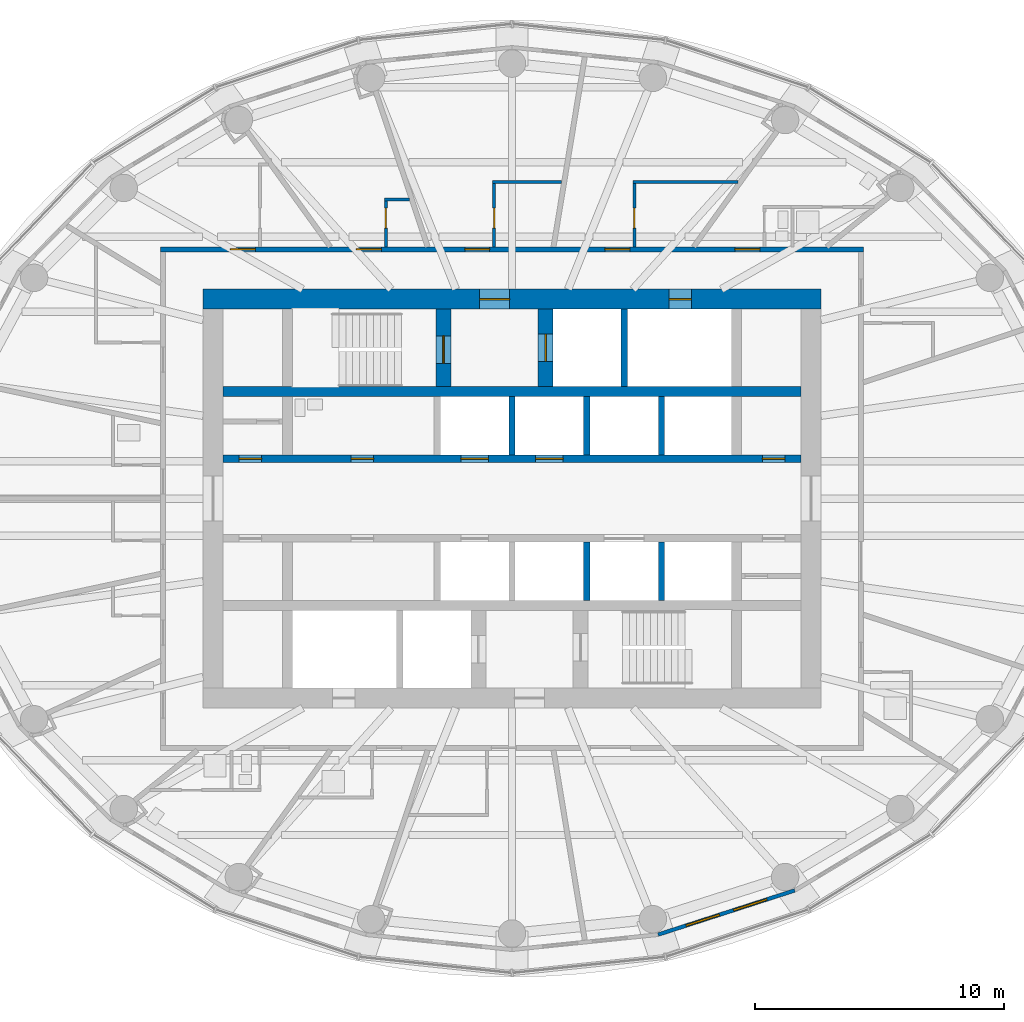
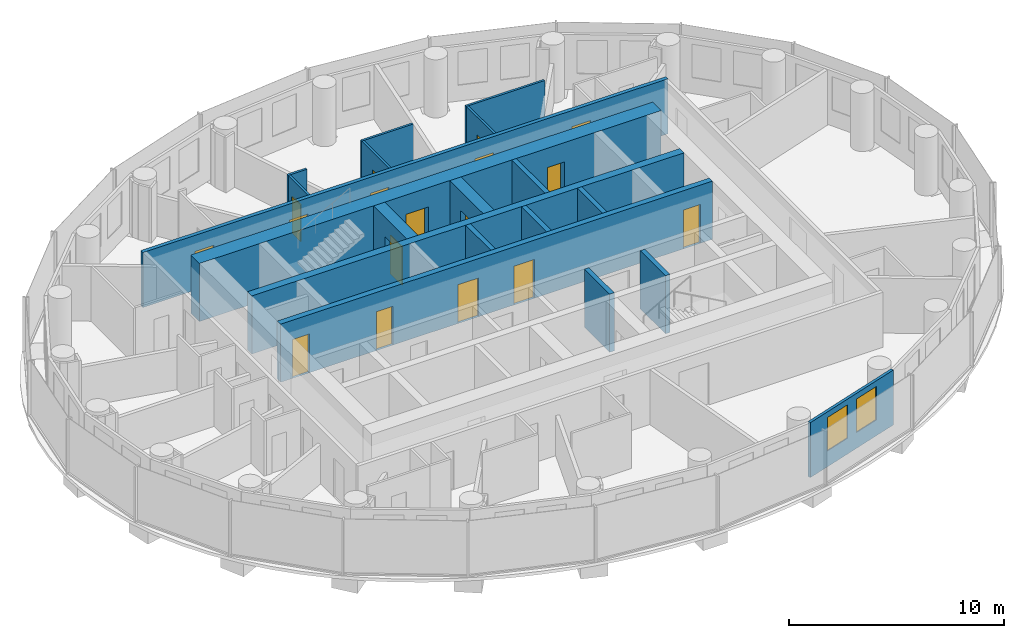
# One storey, part 10 of 16: 19 walls, 17 doors, 2 windows, 19 openings.
"""IFC4 building model written with IfcOpenShell, lengths in metres."""

from ifc_helpers import new_model, si_unit, direction, frame, frame_2d, origin, place, context, subcontext, project, spatial, rectangle, extrude, material, layer, layer_set, type_object, element, fill, save


model = new_model("IFC4")

# Units and contexts
model_context = context("Model", 3, precision=1e-05, world=origin(), true_north=direction((0.0, 1.0)))
body_context = subcontext(model_context, "Body", "Model", "MODEL_VIEW")
ifc_project = project(units=[si_unit("LENGTHUNIT", "METRE"), si_unit("AREAUNIT", "SQUARE_METRE"), si_unit("VOLUMEUNIT", "CUBIC_METRE"), si_unit("PLANEANGLEUNIT", "RADIAN"), si_unit("MASSUNIT", "GRAM", prefix="KILO")], contexts=[model_context])

# Site, building, storey
site_placement = place(None, origin())
site = spatial("IfcSite", under=ifc_project, at=site_placement, CompositionType="ELEMENT")
building_placement = place(site_placement, origin())
building = spatial("IfcBuilding", under=site, at=building_placement, Name="Hankou Lantern Tower", CompositionType="ELEMENT")
storey_placement = place(building_placement, frame((0.0, 0.0, 143.39990234375)))
storey = spatial("IfcBuildingStorey", under=building, at=storey_placement, Name="L37", CompositionType="ELEMENT", Elevation=143.39990234375)

# Wall, openings, doors
ifc_material_1 = material(Name="Concrete C60", Category="concrete")
ifc_layer_1 = layer(ifc_material_1, 0.800048828125)
ifc_layer_set_1 = layer_set([ifc_layer_1], Name="Concrete C60")
wall_type_1 = type_object("IfcWallType", Name="CW2 CORE WALL 800", PredefinedType="SHEAR", material=ifc_layer_set_1)
wall_1_placement = place(storey_placement, frame((-12.39990234375, 8.0, 0.0), z_axis=(0.0, 0.0, 1.0), x_axis=(1.0, 0.0, 0.0)))
wall_1 = element("IfcWall", 1, at=wall_1_placement, inside=storey, type_object=wall_type_1, Name="Core wall north L37", PredefinedType="SHEAR", context=body_context, shape_type="SweptSolid", body=[
    extrude(rectangle(XDim=24.7998046875, YDim=0.800048828125, at=frame_2d((12.39990234375, 0.0))), origin(), (0.0, 0.0, 1.0), 3.300048828125),
])
opening_1_placement = place(wall_1_placement, frame((11.10009765625, 0.0, 0.0)))
opening_1 = element("IfcOpeningElement", 2, at=opening_1_placement, cuts=wall_1, Name="Opening D5", PredefinedType="OPENING", context=body_context, shape_type="SweptSolid", body=[
    extrude(rectangle(XDim=1.199951171875, YDim=2.199951171875, at=frame_2d((0.60009765625, 1.10009765625))), frame((0.0, 0.409912109375, 0.0), z_axis=(0.0, -1.0, 0.0), x_axis=(1.0, 0.0, 0.0)), (0.0, 0.0, 1.0), 0.820068359375),
])
opening_2_placement = place(wall_1_placement, frame((18.699951171875, 0.0, 0.0)))
opening_2 = element("IfcOpeningElement", 3, at=opening_2_placement, cuts=wall_1, Name="Opening D7", PredefinedType="OPENING", context=body_context, shape_type="SweptSolid", body=[
    extrude(rectangle(XDim=0.89990234375, YDim=2.199951171875, at=frame_2d((0.449951171875, 1.10009765625))), frame((0.0, 0.409912109375, 0.0), z_axis=(0.0, -1.0, 0.0), x_axis=(1.0, 0.0, 0.0)), (0.0, 0.0, 1.0), 0.820068359375),
])
ifc_material_2 = material(Name="Steel door leaf", Category="steel")
door_type_1 = type_object("IfcDoorType", Name="D5 STAIR LOBBY DOOR 1200X2200", OperationType="SINGLE_SWING_LEFT", PredefinedType="DOOR", material=ifc_material_2)
door_1_placement = place(opening_1_placement, origin())
door_1 = element("IfcDoor", 4, at=door_1_placement, inside=storey, type_object=door_type_1, Name="Stair A lobby door", OperationType="SINGLE_SWING_LEFT", OverallHeight=2.199951171875, OverallWidth=1.199951171875, PredefinedType="DOOR", context=body_context, shape_type="SweptSolid", body=[
    extrude(rectangle(XDim=1.199951171875, YDim=2.199951171875, at=frame_2d((0.60009765625, 1.10009765625))), frame((0.0, 0.02490234375, 0.0), z_axis=(0.0, -1.0, 0.0), x_axis=(1.0, 0.0, 0.0)), (0.0, 0.0, 1.0), 0.050048828125),
])
fill(opening_1, door_1)
ifc_material_3 = material(Name="Steel door leaf", Category="steel")
door_type_2 = type_object("IfcDoorType", Name="D7 RISER DOOR 900X2200", OperationType="SINGLE_SWING_LEFT", PredefinedType="DOOR", material=ifc_material_3)
door_2_placement = place(opening_2_placement, origin())
door_2 = element("IfcDoor", 5, at=door_2_placement, inside=storey, type_object=door_type_2, Name="Riser N1 door", OperationType="SINGLE_SWING_RIGHT", OverallHeight=2.199951171875, OverallWidth=0.89990234375, PredefinedType="DOOR", context=body_context, shape_type="SweptSolid", body=[
    extrude(rectangle(XDim=0.89990234375, YDim=2.199951171875, at=frame_2d((0.449951171875, 1.10009765625))), frame((0.0, 0.02490234375, 0.0), z_axis=(0.0, -1.0, 0.0), x_axis=(1.0, 0.0, 0.0)), (0.0, 0.0, 1.0), 0.050048828125),
])
fill(opening_2, door_2)

# Wall
ifc_material_4 = material(Name="Concrete C60", Category="concrete")
ifc_layer_2 = layer(ifc_material_4, 0.39990234375)
ifc_layer_set_2 = layer_set([ifc_layer_2], Name="Concrete C60")
wall_type_2 = type_object("IfcWallType", Name="CW4 CORE CROSS WALL 400", PredefinedType="SHEAR", material=ifc_layer_set_2)
wall_2_placement = place(storey_placement, frame((-11.60009765625, 4.300048828125, 0.0), z_axis=(0.0, 0.0, 1.0), x_axis=(1.0, 0.0, 0.0)))
element("IfcWall", 6, at=wall_2_placement, inside=storey, type_object=wall_type_2, Name="Core band wall north L37", PredefinedType="SHEAR", context=body_context, shape_type="SweptSolid", body=[
    extrude(rectangle(XDim=23.2001953125, YDim=0.39990234375, at=frame_2d((11.60009765625, 0.0))), origin(), (0.0, 0.0, 1.0), 3.300048828125),
])

# Wall, openings, doors
ifc_material_5 = material(Name="Concrete C60", Category="concrete")
ifc_layer_3 = layer(ifc_material_5, 0.300048828125)
ifc_layer_set_3 = layer_set([ifc_layer_3], Name="Concrete C60")
wall_type_3 = type_object("IfcWallType", Name="CW5 LIFT LOBBY WALL 300", PredefinedType="SHEAR", material=ifc_layer_set_3)
wall_3_placement = place(storey_placement, frame((-11.60009765625, 1.60009765625, 0.0), z_axis=(0.0, 0.0, 1.0), x_axis=(1.0, 0.0, 0.0)))
wall_3 = element("IfcWall", 7, at=wall_3_placement, inside=storey, type_object=wall_type_3, Name="Lift lobby wall north L37", PredefinedType="SHEAR", context=body_context, shape_type="SweptSolid", body=[
    extrude(rectangle(XDim=23.2001953125, YDim=0.300048828125, at=frame_2d((11.60009765625, 0.0))), origin(), (0.0, 0.0, 1.0), 3.300048828125),
])
opening_3_placement = place(wall_3_placement, frame((9.550048828125, 0.0, 0.0)))
opening_3 = element("IfcOpeningElement", 8, at=opening_3_placement, cuts=wall_3, Name="Opening LD1", PredefinedType="OPENING", context=body_context, shape_type="SweptSolid", body=[
    extrude(rectangle(XDim=1.10009765625, YDim=2.199951171875, at=frame_2d((0.550048828125, 1.10009765625))), frame((0.0, 0.159912109375, 0.0), z_axis=(0.0, -1.0, 0.0), x_axis=(1.0, 0.0, 0.0)), (0.0, 0.0, 1.0), 0.320068359375),
])
opening_4_placement = place(wall_3_placement, frame((12.550048828125, 0.0, 0.0)))
opening_4 = element("IfcOpeningElement", 9, at=opening_4_placement, cuts=wall_3, Name="Opening LD1", PredefinedType="OPENING", context=body_context, shape_type="SweptSolid", body=[
    extrude(rectangle(XDim=1.10009765625, YDim=2.199951171875, at=frame_2d((0.550048828125, 1.10009765625))), frame((0.0, 0.159912109375, 0.0), z_axis=(0.0, -1.0, 0.0), x_axis=(1.0, 0.0, 0.0)), (0.0, 0.0, 1.0), 0.320068359375),
])
opening_5_placement = place(wall_3_placement, frame((0.64990234375, 0.0, 0.0)))
opening_5 = element("IfcOpeningElement", 10, at=opening_5_placement, cuts=wall_3, Name="Opening D30", PredefinedType="OPENING", context=body_context, shape_type="SweptSolid", body=[
    extrude(rectangle(XDim=0.89990234375, YDim=2.199951171875, at=frame_2d((0.449951171875, 1.10009765625))), frame((0.0, 0.159912109375, 0.0), z_axis=(0.0, -1.0, 0.0), x_axis=(1.0, 0.0, 0.0)), (0.0, 0.0, 1.0), 0.320068359375),
])
opening_6_placement = place(wall_3_placement, frame((5.14990234375, 0.0, 0.0)))
opening_6 = element("IfcOpeningElement", 11, at=opening_6_placement, cuts=wall_3, Name="Opening D30", PredefinedType="OPENING", context=body_context, shape_type="SweptSolid", body=[
    extrude(rectangle(XDim=0.89990234375, YDim=2.199951171875, at=frame_2d((0.449951171875, 1.10009765625))), frame((0.0, 0.159912109375, 0.0), z_axis=(0.0, -1.0, 0.0), x_axis=(1.0, 0.0, 0.0)), (0.0, 0.0, 1.0), 0.320068359375),
])
opening_7_placement = place(wall_3_placement, frame((21.64990234375, 0.0, 0.0)))
opening_7 = element("IfcOpeningElement", 12, at=opening_7_placement, cuts=wall_3, Name="Opening D30", PredefinedType="OPENING", context=body_context, shape_type="SweptSolid", body=[
    extrude(rectangle(XDim=0.89990234375, YDim=2.199951171875, at=frame_2d((0.449951171875, 1.10009765625))), frame((0.0, 0.159912109375, 0.0), z_axis=(0.0, -1.0, 0.0), x_axis=(1.0, 0.0, 0.0)), (0.0, 0.0, 1.0), 0.320068359375),
])
ifc_material_6 = material(Name="Steel door leaf", Category="steel")
door_type_3 = type_object("IfcDoorType", Name="D30 CORE ROOM DOOR 900X2200", OperationType="SINGLE_SWING_LEFT", PredefinedType="DOOR", material=ifc_material_6)
door_3_placement = place(opening_5_placement, origin())
door_3 = element("IfcDoor", 13, at=door_3_placement, inside=storey, type_object=door_type_3, Name="Room service pantry door", OperationType="SINGLE_SWING_LEFT", OverallHeight=2.199951171875, OverallWidth=0.89990234375, PredefinedType="DOOR", context=body_context, shape_type="SweptSolid", body=[
    extrude(rectangle(XDim=0.89990234375, YDim=2.199951171875, at=frame_2d((0.449951171875, 1.10009765625))), frame((0.0, 0.02490234375, 0.0), z_axis=(0.0, -1.0, 0.0), x_axis=(1.0, 0.0, 0.0)), (0.0, 0.0, 1.0), 0.050048828125),
])
fill(opening_5, door_3)
door_4_placement = place(opening_6_placement, origin())
door_4 = element("IfcDoor", 14, at=door_4_placement, inside=storey, type_object=door_type_3, Name="Accessible WC door", OperationType="SINGLE_SWING_LEFT", OverallHeight=2.199951171875, OverallWidth=0.89990234375, PredefinedType="DOOR", context=body_context, shape_type="SweptSolid", body=[
    extrude(rectangle(XDim=0.89990234375, YDim=2.199951171875, at=frame_2d((0.449951171875, 1.10009765625))), frame((0.0, 0.02490234375, 0.0), z_axis=(0.0, -1.0, 0.0), x_axis=(1.0, 0.0, 0.0)), (0.0, 0.0, 1.0), 0.050048828125),
])
fill(opening_6, door_4)
door_5_placement = place(opening_7_placement, origin())
door_5 = element("IfcDoor", 15, at=door_5_placement, inside=storey, type_object=door_type_3, Name="Staff locker room door", OperationType="SINGLE_SWING_RIGHT", OverallHeight=2.199951171875, OverallWidth=0.89990234375, PredefinedType="DOOR", context=body_context, shape_type="SweptSolid", body=[
    extrude(rectangle(XDim=0.89990234375, YDim=2.199951171875, at=frame_2d((0.449951171875, 1.10009765625))), frame((0.0, 0.02490234375, 0.0), z_axis=(0.0, -1.0, 0.0), x_axis=(1.0, 0.0, 0.0)), (0.0, 0.0, 1.0), 0.050048828125),
])
fill(opening_7, door_5)
ifc_material_7 = material(Name="Steel door leaf", Category="steel")
door_type_4 = type_object("IfcDoorType", Name="LD1 LIFT LANDING DOOR 1100X2200", OperationType="DOUBLE_DOOR_SLIDING", PredefinedType="DOOR", material=ifc_material_7)
door_6_placement = place(opening_3_placement, origin())
door_6 = element("IfcDoor", 16, at=door_6_placement, inside=storey, type_object=door_type_4, Name="Lift H1 landing door", OperationType="DOUBLE_DOOR_SLIDING", OverallHeight=2.199951171875, OverallWidth=1.10009765625, PredefinedType="DOOR", context=body_context, shape_type="SweptSolid", body=[
    extrude(rectangle(XDim=1.10009765625, YDim=2.199951171875, at=frame_2d((0.550048828125, 1.10009765625))), frame((0.0, 0.02490234375, 0.0), z_axis=(0.0, -1.0, 0.0), x_axis=(1.0, 0.0, 0.0)), (0.0, 0.0, 1.0), 0.050048828125),
])
fill(opening_3, door_6)
door_7_placement = place(opening_4_placement, origin())
door_7 = element("IfcDoor", 17, at=door_7_placement, inside=storey, type_object=door_type_4, Name="Lift H2 landing door", OperationType="DOUBLE_DOOR_SLIDING", OverallHeight=2.199951171875, OverallWidth=1.10009765625, PredefinedType="DOOR", context=body_context, shape_type="SweptSolid", body=[
    extrude(rectangle(XDim=1.10009765625, YDim=2.199951171875, at=frame_2d((0.550048828125, 1.10009765625))), frame((0.0, 0.02490234375, 0.0), z_axis=(0.0, -1.0, 0.0), x_axis=(1.0, 0.0, 0.0)), (0.0, 0.0, 1.0), 0.050048828125),
])
fill(opening_4, door_7)

# Wall, opening, door
ifc_material_8 = material(Name="Concrete C60", Category="concrete")
ifc_layer_4 = layer(ifc_material_8, 0.60009765625)
ifc_layer_set_4 = layer_set([ifc_layer_4], Name="Concrete C60")
wall_type_4 = type_object("IfcWallType", Name="CW6 STAIR AND SHAFT WALL 600", PredefinedType="SHEAR", material=ifc_layer_set_4)
wall_4_placement = place(storey_placement, frame((-2.75, 4.5, 0.0), z_axis=(0.0, 0.0, 1.0), x_axis=(0.0, 1.0, 0.0)))
wall_4 = element("IfcWall", 18, at=wall_4_placement, inside=storey, type_object=wall_type_4, Name="Stair wall L37", PredefinedType="SHEAR", context=body_context, shape_type="SweptSolid", body=[
    extrude(rectangle(XDim=3.10009765625, YDim=0.60009765625, at=frame_2d((1.550048828125, 0.0))), origin(), (0.0, 0.0, 1.0), 3.300048828125),
])
opening_8_placement = place(wall_4_placement, frame((0.925048828125, 0.0, 0.0)))
opening_8 = element("IfcOpeningElement", 19, at=opening_8_placement, cuts=wall_4, Name="Opening D4", PredefinedType="OPENING", context=body_context, shape_type="SweptSolid", body=[
    extrude(rectangle(XDim=1.10009765625, YDim=2.199951171875, at=frame_2d((0.550048828125, 1.10009765625))), frame((0.0, 0.31005859375, 0.0), z_axis=(0.0, -1.0, 0.0), x_axis=(1.0, 0.0, 0.0)), (0.0, 0.0, 1.0), 0.6201171875),
])
ifc_material_9 = material(Name="Steel door leaf", Category="steel")
door_type_5 = type_object("IfcDoorType", Name="D4 STAIR DOOR 1100X2200", OperationType="SINGLE_SWING_LEFT", PredefinedType="DOOR", material=ifc_material_9)
door_8_placement = place(opening_8_placement, origin())
door_8 = element("IfcDoor", 20, at=door_8_placement, inside=storey, type_object=door_type_5, Name="Stair A door", OperationType="SINGLE_SWING_LEFT", OverallHeight=2.199951171875, OverallWidth=1.10009765625, PredefinedType="DOOR", context=body_context, shape_type="SweptSolid", body=[
    extrude(rectangle(XDim=1.10009765625, YDim=2.199951171875, at=frame_2d((0.550048828125, 1.10009765625))), frame((0.0, 0.02490234375, 0.0), z_axis=(0.0, -1.0, 0.0), x_axis=(1.0, 0.0, 0.0)), (0.0, 0.0, 1.0), 0.050048828125),
])
fill(opening_8, door_8)

wall_5_placement = place(storey_placement, frame((1.35009765625, 4.5, 0.0), z_axis=(0.0, 0.0, 1.0), x_axis=(0.0, 1.0, 0.0)))
wall_5 = element("IfcWall", 21, at=wall_5_placement, inside=storey, type_object=wall_type_4, Name="Firefighting lift shaft wall L37", PredefinedType="SHEAR", context=body_context, shape_type="SweptSolid", body=[
    extrude(rectangle(XDim=3.10009765625, YDim=0.60009765625, at=frame_2d((1.550048828125, 0.0))), origin(), (0.0, 0.0, 1.0), 3.300048828125),
])
opening_9_placement = place(wall_5_placement, frame((1.0, 0.0, 0.0)))
opening_9 = element("IfcOpeningElement", 22, at=opening_9_placement, cuts=wall_5, Name="Opening LD2", PredefinedType="OPENING", context=body_context, shape_type="SweptSolid", body=[
    extrude(rectangle(XDim=1.10009765625, YDim=2.199951171875, at=frame_2d((0.550048828125, 1.10009765625))), frame((0.0, 0.31005859375, 0.0), z_axis=(0.0, -1.0, 0.0), x_axis=(1.0, 0.0, 0.0)), (0.0, 0.0, 1.0), 0.6201171875),
])
ifc_material_10 = material(Name="Steel door leaf", Category="steel")
door_type_6 = type_object("IfcDoorType", Name="LD2 FIREFIGHTING LIFT LANDING DOOR 1100X2200", OperationType="DOUBLE_DOOR_SLIDING", PredefinedType="DOOR", material=ifc_material_10)
door_9_placement = place(opening_9_placement, origin())
door_9 = element("IfcDoor", 23, at=door_9_placement, inside=storey, type_object=door_type_6, Name="Firefighting lift FL1 landing door", OperationType="DOUBLE_DOOR_SLIDING", OverallHeight=2.199951171875, OverallWidth=1.10009765625, PredefinedType="DOOR", context=body_context, shape_type="SweptSolid", body=[
    extrude(rectangle(XDim=1.10009765625, YDim=2.199951171875, at=frame_2d((0.550048828125, 1.10009765625))), frame((0.0, 0.02490234375, 0.0), z_axis=(0.0, -1.0, 0.0), x_axis=(1.0, 0.0, 0.0)), (0.0, 0.0, 1.0), 0.050048828125),
])
fill(opening_9, door_9)

# Wall, openings, windows
ifc_material_11 = material(Name="Aluminium spandrel panel on steel studs", Category="steel")
ifc_layer_5 = layer(ifc_material_11, 0.14990234375)
ifc_layer_set_5 = layer_set([ifc_layer_5], Name="Aluminium spandrel panel on steel studs")
wall_type_5 = type_object("IfcWallType", Name="EW1 INNER SKIN WALL 150", PredefinedType="ELEMENTEDWALL", material=ifc_layer_set_5)
wall_6_placement = place(storey_placement, frame((5.8603515625, -17.497314453125, 0.0), z_axis=(0.0, 0.0, 1.0), x_axis=(0.951432482129, 0.307857486429, 0.0)))
wall_6 = element("IfcWall", 24, at=wall_6_placement, inside=storey, type_object=wall_type_5, Name="Inner skin R20-R21 L37", PredefinedType="ELEMENTEDWALL", context=body_context, shape_type="SweptSolid", body=[
    extrude(rectangle(XDim=5.76611328125, YDim=0.14990234375, at=frame_2d((2.883056640625, 0.0))), origin(), (0.0, 0.0, 1.0), 3.1201171875),
])
opening_10_placement = place(wall_6_placement, frame((1.18310546875, 0.0, 0.89990234375)))
opening_10 = element("IfcOpeningElement", 25, at=opening_10_placement, cuts=wall_6, Name="Opening W3", PredefinedType="OPENING", context=body_context, shape_type="SweptSolid", body=[
    extrude(rectangle(XDim=1.39990234375, YDim=1.89990234375, at=frame_2d((0.699951171875, 0.949951171875))), frame((0.0, 0.0849609375, 0.0), z_axis=(0.0, -1.0, 0.0), x_axis=(1.0, 0.0, 0.0)), (0.0, 0.0, 1.0), 0.169921875),
])
opening_11_placement = place(wall_6_placement, frame((3.18310546875, 0.0, 0.89990234375)))
opening_11 = element("IfcOpeningElement", 26, at=opening_11_placement, cuts=wall_6, Name="Opening W3", PredefinedType="OPENING", context=body_context, shape_type="SweptSolid", body=[
    extrude(rectangle(XDim=1.39990234375, YDim=1.89990234375, at=frame_2d((0.699951171875, 0.949951171875))), frame((0.0, 0.0849609375, 0.0), z_axis=(0.0, -1.0, 0.0), x_axis=(1.0, 0.0, 0.0)), (0.0, 0.0, 1.0), 0.169921875),
])
ifc_material_12 = material(Name="Aluminium framed double glazed window", Category="aluminium")
window_type = type_object("IfcWindowType", Name="W3 GUEST ROOM WINDOW 1400X1900", PartitioningType="DOUBLE_PANEL_VERTICAL", PredefinedType="WINDOW", material=ifc_material_12)
window_1_placement = place(opening_10_placement, origin())
window_1 = element("IfcWindow", 27, at=window_1_placement, inside=storey, type_object=window_type, Name="Window R20.1 L37", OverallHeight=1.89990234375, OverallWidth=1.39990234375, PartitioningType="SINGLE_PANEL", PredefinedType="WINDOW", context=body_context, shape_type="SweptSolid", body=[
    extrude(rectangle(XDim=1.39990234375, YDim=1.89990234375, at=frame_2d((0.699951171875, 0.949951171875))), frame((0.0, 0.030029296875, 0.0), z_axis=(0.0, -1.0, 0.0), x_axis=(1.0, 0.0, 0.0)), (0.0, 0.0, 1.0), 0.06005859375),
])
fill(opening_10, window_1)
window_2_placement = place(opening_11_placement, origin())
window_2 = element("IfcWindow", 28, at=window_2_placement, inside=storey, type_object=window_type, Name="Window R20.2 L37", OverallHeight=1.89990234375, OverallWidth=1.39990234375, PartitioningType="SINGLE_PANEL", PredefinedType="WINDOW", context=body_context, shape_type="SweptSolid", body=[
    extrude(rectangle(XDim=1.39990234375, YDim=1.89990234375, at=frame_2d((0.699951171875, 0.949951171875))), frame((0.0, 0.030029296875, 0.0), z_axis=(0.0, -1.0, 0.0), x_axis=(1.0, 0.0, 0.0)), (0.0, 0.0, 1.0), 0.06005859375),
])
fill(opening_11, window_2)

# Wall, openings, doors
ifc_material_13 = material(Name="Masonry lightweight concrete block", Category="masonry")
ifc_layer_6 = layer(ifc_material_13, 0.199951171875)
ifc_layer_set_6 = layer_set([ifc_layer_6], Name="Masonry lightweight concrete block")
wall_type_6 = type_object("IfcWallType", Name="IW2 CORRIDOR WALL 200", PredefinedType="PARTITIONING", material=ifc_layer_set_6)
wall_7_placement = place(storey_placement, frame((-14.10009765625, 10.0, 0.0), z_axis=(0.0, 0.0, 1.0), x_axis=(1.0, 0.0, 0.0)))
wall_7 = element("IfcWall", 29, at=wall_7_placement, inside=storey, type_object=wall_type_6, Name="Corridor wall north", PredefinedType="PARTITIONING", context=body_context, shape_type="SweptSolid", body=[
    extrude(rectangle(XDim=28.2001953125, YDim=0.199951171875, at=frame_2d((14.10009765625, 0.0))), origin(), (0.0, 0.0, 1.0), 3.1201171875),
])
opening_12_placement = place(wall_7_placement, frame((23.044921875, 0.0, 0.0)))
opening_12 = element("IfcOpeningElement", 30, at=opening_12_placement, cuts=wall_7, Name="Opening D13", PredefinedType="OPENING", context=body_context, shape_type="SweptSolid", body=[
    extrude(rectangle(XDim=1.0, YDim=2.199951171875, at=frame_2d((0.5, 1.10009765625))), frame((0.0, 0.10986328125, 0.0), z_axis=(0.0, -1.0, 0.0), x_axis=(1.0, 0.0, 0.0)), (0.0, 0.0, 1.0), 0.219970703125),
])
opening_13_placement = place(wall_7_placement, frame((17.8291015625, 0.0, 0.0)))
opening_13 = element("IfcOpeningElement", 31, at=opening_13_placement, cuts=wall_7, Name="Opening D1", PredefinedType="OPENING", context=body_context, shape_type="SweptSolid", body=[
    extrude(rectangle(XDim=1.0, YDim=2.199951171875, at=frame_2d((0.5, 1.10009765625))), frame((0.0, 0.10986328125, 0.0), z_axis=(0.0, -1.0, 0.0), x_axis=(1.0, 0.0, 0.0)), (0.0, 0.0, 1.0), 0.219970703125),
])
opening_14_placement = place(wall_7_placement, frame((12.205322265625, 0.0, 0.0)))
opening_14 = element("IfcOpeningElement", 32, at=opening_14_placement, cuts=wall_7, Name="Opening D1", PredefinedType="OPENING", context=body_context, shape_type="SweptSolid", body=[
    extrude(rectangle(XDim=1.0, YDim=2.199951171875, at=frame_2d((0.5, 1.10009765625))), frame((0.0, 0.10986328125, 0.0), z_axis=(0.0, -1.0, 0.0), x_axis=(1.0, 0.0, 0.0)), (0.0, 0.0, 1.0), 0.219970703125),
])
opening_15_placement = place(wall_7_placement, frame((7.857177734375, 0.0, 0.0)))
opening_15 = element("IfcOpeningElement", 33, at=opening_15_placement, cuts=wall_7, Name="Opening D13", PredefinedType="OPENING", context=body_context, shape_type="SweptSolid", body=[
    extrude(rectangle(XDim=1.0, YDim=2.199951171875, at=frame_2d((0.5, 1.10009765625))), frame((0.0, 0.10986328125, 0.0), z_axis=(0.0, -1.0, 0.0), x_axis=(1.0, 0.0, 0.0)), (0.0, 0.0, 1.0), 0.219970703125),
])
opening_16_placement = place(wall_7_placement, frame((2.801025390625, 0.0, 0.0)))
opening_16 = element("IfcOpeningElement", 34, at=opening_16_placement, cuts=wall_7, Name="Opening D1", PredefinedType="OPENING", context=body_context, shape_type="SweptSolid", body=[
    extrude(rectangle(XDim=1.0, YDim=2.199951171875, at=frame_2d((0.5, 1.10009765625))), frame((0.0, 0.10986328125, 0.0), z_axis=(0.0, -1.0, 0.0), x_axis=(1.0, 0.0, 0.0)), (0.0, 0.0, 1.0), 0.219970703125),
])
ifc_material_14 = material(Name="Steel door leaf", Category="steel")
door_type_7 = type_object("IfcDoorType", Name="D1 GUEST ROOM DOOR 1000X2200", OperationType="SINGLE_SWING_LEFT", PredefinedType="DOOR", material=ifc_material_14)
door_10_placement = place(opening_13_placement, origin())
door_10 = element("IfcDoor", 35, at=door_10_placement, inside=storey, type_object=door_type_7, Name="Guest room door 3713", OperationType="SINGLE_SWING_RIGHT", OverallHeight=2.199951171875, OverallWidth=1.0, PredefinedType="DOOR", context=body_context, shape_type="SweptSolid", body=[
    extrude(rectangle(XDim=1.0, YDim=2.199951171875, at=frame_2d((0.5, 1.10009765625))), frame((0.0, 0.02490234375, 0.0), z_axis=(0.0, -1.0, 0.0), x_axis=(1.0, 0.0, 0.0)), (0.0, 0.0, 1.0), 0.050048828125),
])
fill(opening_13, door_10)
door_11_placement = place(opening_14_placement, origin())
door_11 = element("IfcDoor", 36, at=door_11_placement, inside=storey, type_object=door_type_7, Name="Guest room door 3714", OperationType="SINGLE_SWING_RIGHT", OverallHeight=2.199951171875, OverallWidth=1.0, PredefinedType="DOOR", context=body_context, shape_type="SweptSolid", body=[
    extrude(rectangle(XDim=1.0, YDim=2.199951171875, at=frame_2d((0.5, 1.10009765625))), frame((0.0, 0.02490234375, 0.0), z_axis=(0.0, -1.0, 0.0), x_axis=(1.0, 0.0, 0.0)), (0.0, 0.0, 1.0), 0.050048828125),
])
fill(opening_14, door_11)
door_12_placement = place(opening_16_placement, origin())
door_12 = element("IfcDoor", 37, at=door_12_placement, inside=storey, type_object=door_type_7, Name="Guest room door 3716", OperationType="SINGLE_SWING_RIGHT", OverallHeight=2.199951171875, OverallWidth=1.0, PredefinedType="DOOR", context=body_context, shape_type="SweptSolid", body=[
    extrude(rectangle(XDim=1.0, YDim=2.199951171875, at=frame_2d((0.5, 1.10009765625))), frame((0.0, 0.02490234375, 0.0), z_axis=(0.0, -1.0, 0.0), x_axis=(1.0, 0.0, 0.0)), (0.0, 0.0, 1.0), 0.050048828125),
])
fill(opening_16, door_12)
ifc_material_15 = material(Name="Timber door leaf", Category="wood")
door_type_8 = type_object("IfcDoorType", Name="D13 ROOM DOOR 1000X2200", OperationType="SINGLE_SWING_LEFT", PredefinedType="DOOR", material=ifc_material_15)
door_13_placement = place(opening_12_placement, origin())
door_13 = element("IfcDoor", 38, at=door_13_placement, inside=storey, type_object=door_type_8, Name="Room door 3712", OperationType="SINGLE_SWING_RIGHT", OverallHeight=2.199951171875, OverallWidth=1.0, PredefinedType="DOOR", context=body_context, shape_type="SweptSolid", body=[
    extrude(rectangle(XDim=1.0, YDim=2.199951171875, at=frame_2d((0.5, 1.10009765625))), frame((0.0, 0.02490234375, 0.0), z_axis=(0.0, -1.0, 0.0), x_axis=(1.0, 0.0, 0.0)), (0.0, 0.0, 1.0), 0.050048828125),
])
fill(opening_12, door_13)
door_14_placement = place(opening_15_placement, origin())
door_14 = element("IfcDoor", 39, at=door_14_placement, inside=storey, type_object=door_type_8, Name="Room door 3715", OperationType="SINGLE_SWING_RIGHT", OverallHeight=2.199951171875, OverallWidth=1.0, PredefinedType="DOOR", context=body_context, shape_type="SweptSolid", body=[
    extrude(rectangle(XDim=1.0, YDim=2.199951171875, at=frame_2d((0.5, 1.10009765625))), frame((0.0, 0.02490234375, 0.0), z_axis=(0.0, -1.0, 0.0), x_axis=(1.0, 0.0, 0.0)), (0.0, 0.0, 1.0), 0.050048828125),
])
fill(opening_15, door_14)

# Wall
ifc_material_16 = material(Name="Masonry lightweight concrete block", Category="masonry")
ifc_layer_7 = layer(ifc_material_16, 0.1201171875)
ifc_layer_set_7 = layer_set([ifc_layer_7], Name="Masonry lightweight concrete block")
wall_type_7 = type_object("IfcWallType", Name="IW3 BATHROOM WALL 120", PredefinedType="PARTITIONING", material=ifc_layer_set_7)
wall_8_placement = place(storey_placement, frame((9.0654296875, 12.699951171875, 0.0), z_axis=(0.0, 0.0, 1.0), x_axis=(-1.0, 0.0, 0.0)))
element("IfcWall", 40, at=wall_8_placement, inside=storey, type_object=wall_type_7, Name="Box wall 3713 1", PredefinedType="PARTITIONING", context=body_context, shape_type="SweptSolid", body=[
    extrude(rectangle(XDim=4.21630859375, YDim=0.1201171875, at=frame_2d((2.108154296875, 0.0))), origin(), (0.0, 0.0, 1.0), 3.1201171875),
])

# Wall, opening, door
wall_9_placement = place(storey_placement, frame((4.908935546875, 10.10009765625, 0.0), z_axis=(0.0, 0.0, 1.0), x_axis=(0.0, 1.0, 0.0)))
wall_9 = element("IfcWall", 41, at=wall_9_placement, inside=storey, type_object=wall_type_7, Name="Box wall 3713 1", PredefinedType="PARTITIONING", context=body_context, shape_type="SweptSolid", body=[
    extrude(rectangle(XDim=2.539794921875, YDim=0.1201171875, at=frame_2d((1.27001953125, 0.0))), origin(), (0.0, 0.0, 1.0), 3.1201171875),
])
opening_17_placement = place(wall_9_placement, frame((0.75, 0.0, 0.0)))
opening_17 = element("IfcOpeningElement", 42, at=opening_17_placement, cuts=wall_9, Name="Opening D3", PredefinedType="OPENING", context=body_context, shape_type="SweptSolid", body=[
    extrude(rectangle(XDim=0.800048828125, YDim=2.10009765625, at=frame_2d((0.39990234375, 1.050048828125))), frame((0.0, 0.070068359375, 0.0), z_axis=(0.0, -1.0, 0.0), x_axis=(1.0, 0.0, 0.0)), (0.0, 0.0, 1.0), 0.14013671875),
])
ifc_material_17 = material(Name="Timber door leaf", Category="wood")
door_type_9 = type_object("IfcDoorType", Name="D3 BATHROOM DOOR 800X2100", OperationType="SINGLE_SWING_LEFT", PredefinedType="DOOR", material=ifc_material_17)
door_15_placement = place(opening_17_placement, origin())
door_15 = element("IfcDoor", 43, at=door_15_placement, inside=storey, type_object=door_type_9, Name="En-suite bathroom 3713 door", OperationType="SINGLE_SWING_LEFT", OverallHeight=2.10009765625, OverallWidth=0.800048828125, PredefinedType="DOOR", context=body_context, shape_type="SweptSolid", body=[
    extrude(rectangle(XDim=0.800048828125, YDim=2.10009765625, at=frame_2d((0.39990234375, 1.050048828125))), frame((0.0, 0.02490234375, 0.0), z_axis=(0.0, -1.0, 0.0), x_axis=(1.0, 0.0, 0.0)), (0.0, 0.0, 1.0), 0.050048828125),
])
fill(opening_17, door_15)

# Wall
wall_10_placement = place(storey_placement, frame((1.994140625, 12.699951171875, 0.0), z_axis=(0.0, 0.0, 1.0), x_axis=(-1.0, 0.0, 0.0)))
element("IfcWall", 44, at=wall_10_placement, inside=storey, type_object=wall_type_7, Name="Box wall 3714 1", PredefinedType="PARTITIONING", context=body_context, shape_type="SweptSolid", body=[
    extrude(rectangle(XDim=2.768798828125, YDim=0.1201171875, at=frame_2d((1.38427734375, 0.0))), origin(), (0.0, 0.0, 1.0), 3.1201171875),
])

# Wall, opening, door
wall_11_placement = place(storey_placement, frame((-0.714599609375, 10.10009765625, 0.0), z_axis=(0.0, 0.0, 1.0), x_axis=(0.0, 1.0, 0.0)))
wall_11 = element("IfcWall", 45, at=wall_11_placement, inside=storey, type_object=wall_type_7, Name="Box wall 3714 1", PredefinedType="PARTITIONING", context=body_context, shape_type="SweptSolid", body=[
    extrude(rectangle(XDim=2.539794921875, YDim=0.1201171875, at=frame_2d((1.27001953125, 0.0))), origin(), (0.0, 0.0, 1.0), 3.1201171875),
])
opening_18_placement = place(wall_11_placement, frame((0.75, 0.0, 0.0)))
opening_18 = element("IfcOpeningElement", 46, at=opening_18_placement, cuts=wall_11, Name="Opening D3", PredefinedType="OPENING", context=body_context, shape_type="SweptSolid", body=[
    extrude(rectangle(XDim=0.800048828125, YDim=2.10009765625, at=frame_2d((0.39990234375, 1.050048828125))), frame((0.0, 0.070068359375, 0.0), z_axis=(0.0, -1.0, 0.0), x_axis=(1.0, 0.0, 0.0)), (0.0, 0.0, 1.0), 0.14013671875),
])
door_16_placement = place(opening_18_placement, origin())
door_16 = element("IfcDoor", 47, at=door_16_placement, inside=storey, type_object=door_type_9, Name="En-suite bathroom 3714 door", OperationType="SINGLE_SWING_LEFT", OverallHeight=2.10009765625, OverallWidth=0.800048828125, PredefinedType="DOOR", context=body_context, shape_type="SweptSolid", body=[
    extrude(rectangle(XDim=0.800048828125, YDim=2.10009765625, at=frame_2d((0.39990234375, 1.050048828125))), frame((0.0, 0.02490234375, 0.0), z_axis=(0.0, -1.0, 0.0), x_axis=(1.0, 0.0, 0.0)), (0.0, 0.0, 1.0), 0.050048828125),
])
fill(opening_18, door_16)

# Wall
wall_12_placement = place(storey_placement, frame((-4.119140625, 12.0, 0.0), z_axis=(0.0, 0.0, 1.0), x_axis=(-1.0, 0.0, 0.0)))
element("IfcWall", 48, at=wall_12_placement, inside=storey, type_object=wall_type_7, Name="Box wall 3715 1", PredefinedType="PARTITIONING", context=body_context, shape_type="SweptSolid", body=[
    extrude(rectangle(XDim=1.003662109375, YDim=0.1201171875, at=frame_2d((0.501953125, 0.0))), origin(), (0.0, 0.0, 1.0), 3.1201171875),
])

# Wall, opening, door
wall_13_placement = place(storey_placement, frame((-5.062744140625, 10.10009765625, 0.0), z_axis=(0.0, 0.0, 1.0), x_axis=(0.0, 1.0, 0.0)))
wall_13 = element("IfcWall", 49, at=wall_13_placement, inside=storey, type_object=wall_type_7, Name="Box wall 3715 1", PredefinedType="PARTITIONING", context=body_context, shape_type="SweptSolid", body=[
    extrude(rectangle(XDim=1.83984375, YDim=0.1201171875, at=frame_2d((0.919921875, 0.0))), origin(), (0.0, 0.0, 1.0), 3.1201171875),
])
opening_19_placement = place(wall_13_placement, frame((0.75, 0.0, 0.0)))
opening_19 = element("IfcOpeningElement", 50, at=opening_19_placement, cuts=wall_13, Name="Opening D3", PredefinedType="OPENING", context=body_context, shape_type="SweptSolid", body=[
    extrude(rectangle(XDim=0.800048828125, YDim=2.10009765625, at=frame_2d((0.39990234375, 1.050048828125))), frame((0.0, 0.070068359375, 0.0), z_axis=(0.0, -1.0, 0.0), x_axis=(1.0, 0.0, 0.0)), (0.0, 0.0, 1.0), 0.14013671875),
])
door_17_placement = place(opening_19_placement, origin())
door_17 = element("IfcDoor", 51, at=door_17_placement, inside=storey, type_object=door_type_9, Name="Spa treatment room 3715 shower room door", OperationType="SINGLE_SWING_LEFT", OverallHeight=2.10009765625, OverallWidth=0.800048828125, PredefinedType="DOOR", context=body_context, shape_type="SweptSolid", body=[
    extrude(rectangle(XDim=0.800048828125, YDim=2.10009765625, at=frame_2d((0.39990234375, 1.050048828125))), frame((0.0, 0.02490234375, 0.0), z_axis=(0.0, -1.0, 0.0), x_axis=(1.0, 0.0, 0.0)), (0.0, 0.0, 1.0), 0.050048828125),
])
fill(opening_19, door_17)

# Walls
ifc_material_18 = material(Name="Masonry autoclaved aerated concrete block", Category="masonry")
ifc_layer_8 = layer(ifc_material_18, 0.25)
ifc_layer_set_8 = layer_set([ifc_layer_8], Name="Masonry autoclaved aerated concrete block")
wall_type_8 = type_object("IfcWallType", Name="SW1 SHAFT BLOCK WALL 250", PredefinedType="PARTITIONING", material=ifc_layer_set_8)
wall_14_placement = place(storey_placement, frame((4.5, 4.5, 0.0), z_axis=(0.0, 0.0, 1.0), x_axis=(0.0, 1.0, 0.0)))
element("IfcWall", 52, at=wall_14_placement, inside=storey, type_object=wall_type_8, Name="Riser wall L37", PredefinedType="PARTITIONING", context=body_context, shape_type="SweptSolid", body=[
    extrude(rectangle(XDim=3.10009765625, YDim=0.25, at=frame_2d((1.550048828125, 0.0))), origin(), (0.0, 0.0, 1.0), 3.300048828125),
])
for number, where, z_axis, x_axis, name in (
    (53, (0.0, 1.75, 0.0), (0.0, 0.0, 1.0), (0.0, 1.0, 0.0), "Lift shaft wall L37"),
    (54, (3.0, 1.75, 0.0), (0.0, 0.0, 1.0), (0.0, 1.0, 0.0), "Lift shaft wall L37"),
    (55, (6.0, 1.75, 0.0), (0.0, 0.0, 1.0), (0.0, 1.0, 0.0), "Lift shaft wall L37"),
    (56, (3.0, -4.10009765625, 0.0), (0.0, 0.0, 1.0), (0.0, 1.0, 0.0), "Lift shaft wall L37"),
    (57, (6.0, -4.10009765625, 0.0), (0.0, 0.0, 1.0), (0.0, 1.0, 0.0), "Lift shaft wall L37"),
):
    element("IfcWall", number, at=place(storey_placement, frame(where, z_axis=z_axis, x_axis=x_axis)), inside=storey, type_object=wall_type_8, Name=name, PredefinedType="PARTITIONING", context=body_context, shape_type="SweptSolid", body=[
        extrude(rectangle(XDim=2.35009765625, YDim=0.25, at=frame_2d((1.175048828125, 0.0))), origin(), (0.0, 0.0, 1.0), 3.300048828125),
    ])

save(model, "model.ifc")
